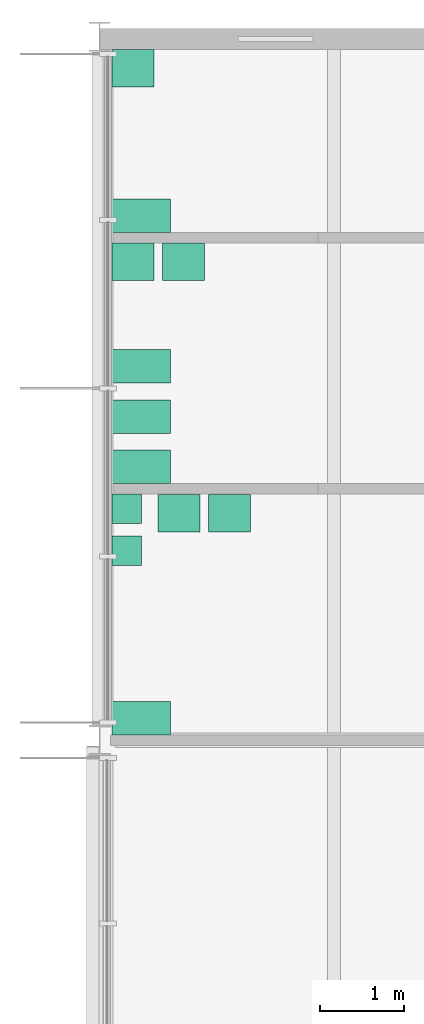
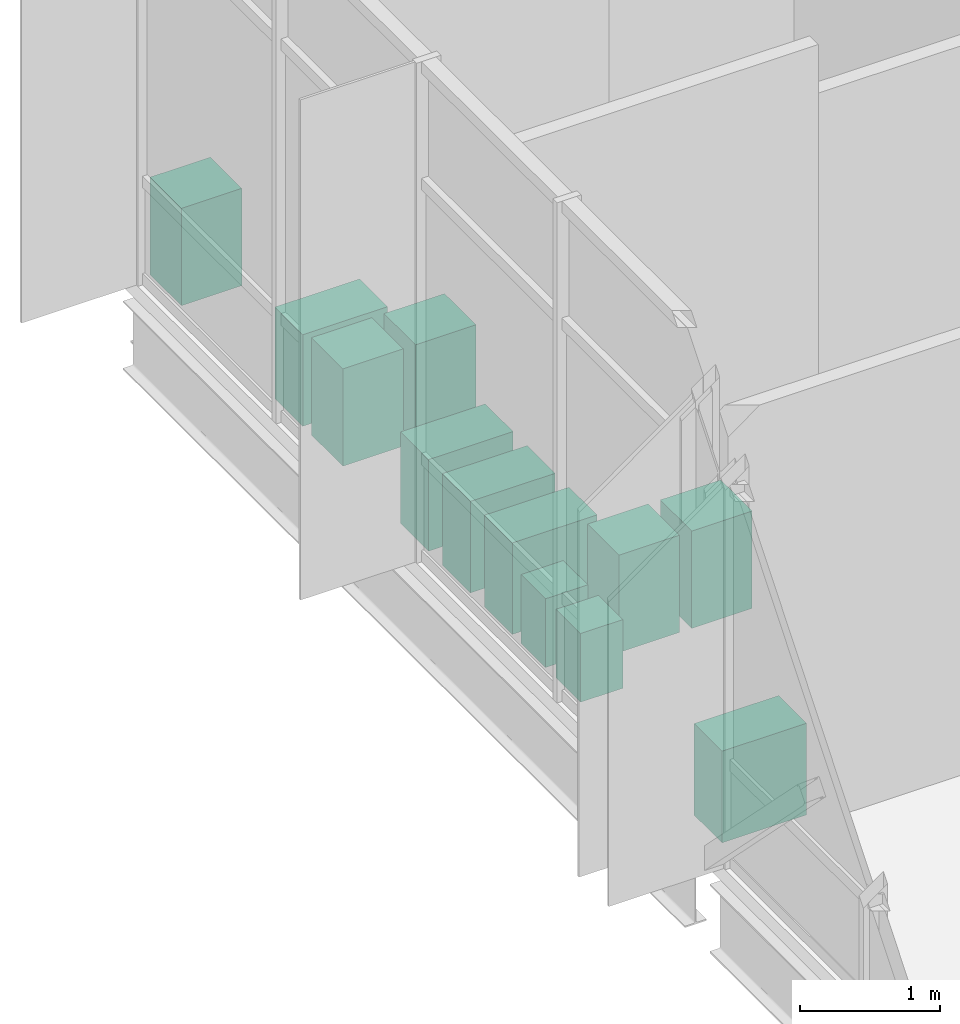
# One storey, part 17 of 17: 12 sanitary terminals.
"""IFC4 building model written with IfcOpenShell, lengths in metres."""

from ifc_helpers import new_model, si_unit, direction, frame, origin, origin_2d, place, context, subcontext, project, spatial, rectangle, extrude, element, save


model = new_model("IFC4")

# Units and contexts
model_context = context("Model", 3, precision=1e-05, world=origin(), true_north=direction((0.0, 1.0)))
body_context = subcontext(model_context, "Body", "Model", "MODEL_VIEW")
ifc_project = project(units=[si_unit("LENGTHUNIT", "METRE"), si_unit("AREAUNIT", "SQUARE_METRE"), si_unit("VOLUMEUNIT", "CUBIC_METRE"), si_unit("PLANEANGLEUNIT", "RADIAN"), si_unit("MASSUNIT", "GRAM", prefix="KILO")], contexts=[model_context])

# Site, building, storey
site_placement = place(None, origin())
site = spatial("IfcSite", under=ifc_project, at=site_placement, CompositionType="ELEMENT")
building_placement = place(site_placement, origin())
building = spatial("IfcBuilding", under=site, at=building_placement, Name="Hlaing Beacon Police Headquarters", CompositionType="ELEMENT")
storey_placement = place(building_placement, frame((0.0, 0.0, 36.89990234375)))
storey = spatial("IfcBuildingStorey", under=building, at=storey_placement, Name="L08", CompositionType="ELEMENT", Elevation=36.89990234375)

# Sanitary terminals
sanitary_terminal_1_placement = place(storey_placement, frame((101.300048828125, 65.06201171875, 0.0), z_axis=(0.0, 0.0, 1.0), x_axis=(1.0, 0.0, 0.0)))
element("IfcSanitaryTerminal", 1, at=sanitary_terminal_1_placement, inside=storey, Name="Water closet", PredefinedType="TOILETPAN", context=body_context, shape_type="SweptSolid", body=[
    extrude(rectangle(XDim=0.699951171875, YDim=0.39990234375, at=origin_2d()), origin(), (0.0, 0.0, 1.0), 0.800048828125),
])
sanitary_terminal_2_placement = place(storey_placement, frame((101.199951171875, 66.824951171875, 0.0), z_axis=(0.0, 0.0, 1.0), x_axis=(1.0, 0.0, 0.0)))
element("IfcSanitaryTerminal", 2, at=sanitary_terminal_2_placement, inside=storey, Name="Wash basin", PredefinedType="WASHHANDBASIN", context=body_context, shape_type="SweptSolid", body=[
    extrude(rectangle(XDim=0.5, YDim=0.449951171875, at=origin_2d()), origin(), (0.0, 0.0, 1.0), 0.85009765625),
])
for number, where, z_axis, x_axis, name in (
    (3, (101.300048828125, 62.06298828125, 0.0), (0.0, 0.0, 1.0), (1.0, 0.0, 0.0), "Water closet"),
    (4, (101.300048828125, 62.662109375, 0.0), (0.0, 0.0, 1.0), (1.0, 0.0, 0.0), "Water closet"),
    (5, (101.300048828125, 63.262939453125, 0.0), (0.0, 0.0, 1.0), (1.0, 0.0, 0.0), "Water closet"),
):
    element("IfcSanitaryTerminal", number, at=place(storey_placement, frame(where, z_axis=z_axis, x_axis=x_axis)), inside=storey, Name=name, PredefinedType="TOILETPAN", context=body_context, shape_type="SweptSolid", body=[
        extrude(rectangle(XDim=0.699951171875, YDim=0.39990234375, at=origin_2d()), origin(), (0.0, 0.0, 1.0), 0.800048828125),
    ])
for number, where, z_axis, x_axis, name in (
    (6, (101.199951171875, 64.512939453125, 0.0), (0.0, 0.0, 1.0), (1.0, 0.0, 0.0), "Wash basin"),
    (7, (101.800048828125, 64.512939453125, 0.0), (0.0, 0.0, 1.0), (1.0, 0.0, 0.0), "Wash basin"),
):
    element("IfcSanitaryTerminal", number, at=place(storey_placement, frame(where, z_axis=z_axis, x_axis=x_axis)), inside=storey, Name=name, PredefinedType="WASHHANDBASIN", context=body_context, shape_type="SweptSolid", body=[
        extrude(rectangle(XDim=0.5, YDim=0.449951171875, at=origin_2d()), origin(), (0.0, 0.0, 1.0), 0.85009765625),
    ])
sanitary_terminal_3_placement = place(storey_placement, frame((101.300048828125, 59.06201171875, 0.0), z_axis=(0.0, 0.0, 1.0), x_axis=(1.0, 0.0, 0.0)))
element("IfcSanitaryTerminal", 8, at=sanitary_terminal_3_placement, inside=storey, Name="Water closet", PredefinedType="TOILETPAN", context=body_context, shape_type="SweptSolid", body=[
    extrude(rectangle(XDim=0.699951171875, YDim=0.39990234375, at=origin_2d()), origin(), (0.0, 0.0, 1.0), 0.800048828125),
])
for number, where, z_axis, x_axis, name in (
    (9, (101.125, 61.56298828125, 0.0), (0.0, 0.0, 1.0), (1.0, 0.0, 0.0), "Urinal"),
    (10, (101.125, 61.06201171875, 0.0), (0.0, 0.0, 1.0), (1.0, 0.0, 0.0), "Urinal"),
):
    element("IfcSanitaryTerminal", number, at=place(storey_placement, frame(where, z_axis=z_axis, x_axis=x_axis)), inside=storey, Name=name, PredefinedType="URINAL", context=body_context, shape_type="SweptSolid", body=[
        extrude(rectangle(XDim=0.35009765625, YDim=0.35009765625, at=origin_2d()), origin(), (0.0, 0.0, 1.0), 0.60009765625),
    ])
for number, where, z_axis, x_axis, name in (
    (11, (101.75, 61.511962890625, 0.0), (0.0, 0.0, 1.0), (1.0, 0.0, 0.0), "Wash basin"),
    (12, (102.35009765625, 61.511962890625, 0.0), (0.0, 0.0, 1.0), (1.0, 0.0, 0.0), "Wash basin"),
):
    element("IfcSanitaryTerminal", number, at=place(storey_placement, frame(where, z_axis=z_axis, x_axis=x_axis)), inside=storey, Name=name, PredefinedType="WASHHANDBASIN", context=body_context, shape_type="SweptSolid", body=[
        extrude(rectangle(XDim=0.5, YDim=0.449951171875, at=origin_2d()), origin(), (0.0, 0.0, 1.0), 0.85009765625),
    ])

save(model, "model.ifc")
